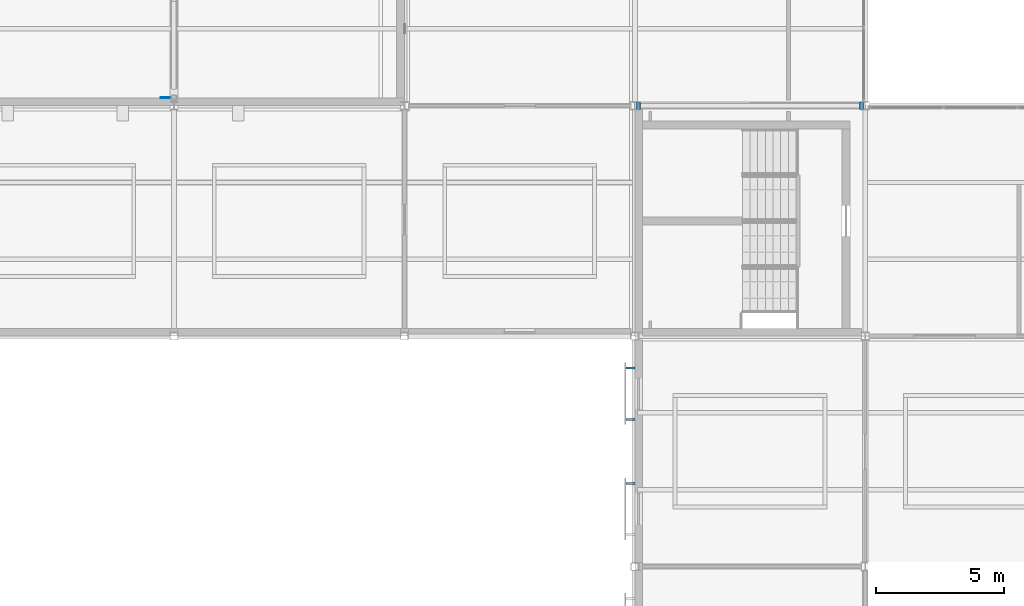
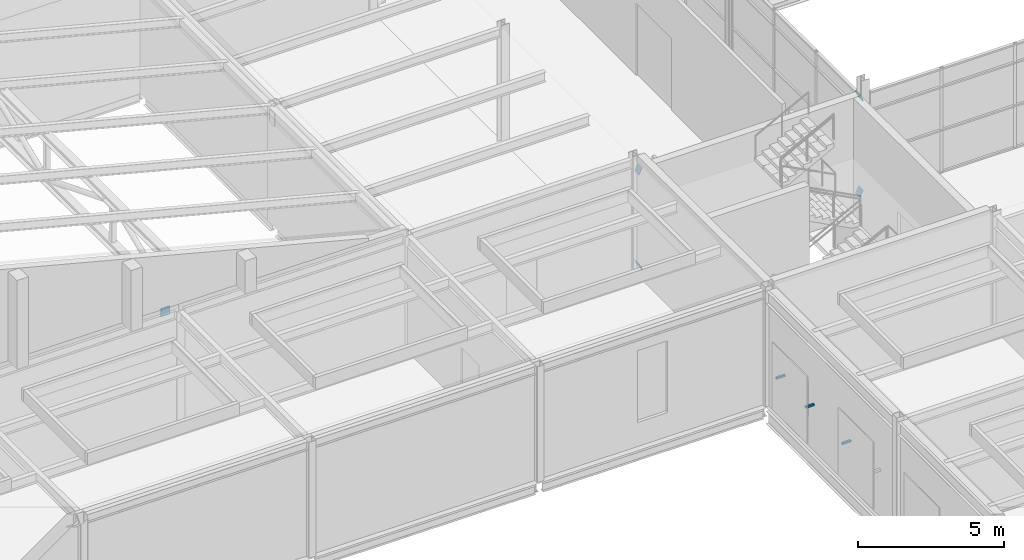
# One storey, part 98 of 115: 8 discrete accessories.
"""IFC4 building model written with IfcOpenShell, lengths in metres."""

from ifc_helpers import new_model, si_unit, direction, frame, origin, origin_2d, place, context, subcontext, project, spatial, polyline, rectangle, outline, extrude, material, layer, layer_set, type_object, element, save


model = new_model("IFC4")

# Units and contexts
model_context = context("Model", 3, precision=1e-05, world=origin(), true_north=direction((0.0, 1.0)))
body_context = subcontext(model_context, "Body", "Model", "MODEL_VIEW")
ifc_project = project(units=[si_unit("LENGTHUNIT", "METRE"), si_unit("AREAUNIT", "SQUARE_METRE"), si_unit("VOLUMEUNIT", "CUBIC_METRE"), si_unit("PLANEANGLEUNIT", "RADIAN"), si_unit("MASSUNIT", "GRAM", prefix="KILO")], contexts=[model_context])

# Site, building, storey
site_placement = place(None, origin())
site = spatial("IfcSite", under=ifc_project, at=site_placement, CompositionType="ELEMENT")
building_placement = place(site_placement, origin())
building = spatial("IfcBuilding", under=site, at=building_placement, Name="Shorebreak Coast Museum", CompositionType="ELEMENT")
storey_placement = place(building_placement, frame((0.0, 0.0, 11.0)))
storey = spatial("IfcBuildingStorey", under=building, at=storey_placement, Name="L02", CompositionType="ELEMENT", Elevation=11.0)

# Discrete accessories
ifc_material_1 = material(Name="Steel Grade 300", Category="steel")
ifc_layer_1 = layer(ifc_material_1, 0.02490234375)
ifc_layer_set_1 = layer_set([ifc_layer_1], Name="Steel Grade 300")
discrete_accessory_type_1 = type_object("IfcDiscreteAccessoryType", Name="Cast-in plate 350 x 350 x 25", PredefinedType="ANCHORPLATE", material=ifc_layer_set_1)
discrete_accessory_1_placement = place(storey_placement, frame((35.47509765625, 63.300048828125, 4.46142578125), z_axis=(0.0, -1.0, 0.0), x_axis=(1.0, 0.0, 0.0)))
element("IfcDiscreteAccessory", 1, at=discrete_accessory_1_placement, inside=storey, type_object=discrete_accessory_type_1, Name="Cast-in plate Auditorium roof truss TS2 strut V01 end 1", PredefinedType="ANCHORPLATE", context=body_context, shape_type="SweptSolid", body=[
    extrude(outline(polyline([(0.0, 0.0), (0.349853515625, 0.0), (0.349853515625, 0.349853515625), (0.0, 0.349853515625), (0.0, 0.0)])), origin(), (0.0, 0.0, -1.0), 0.02490234375),
])
ifc_material_2 = material(Name="Steel Grade 300", Category="steel")
ifc_layer_2 = layer(ifc_material_2, 0.02490234375)
ifc_layer_set_2 = layer_set([ifc_layer_2], Name="Steel Grade 300")
discrete_accessory_type_2 = type_object("IfcDiscreteAccessoryType", Name="End plate 300 x 300 x 25", PredefinedType="BRACKET", material=ifc_layer_set_2)
discrete_accessory_2_placement = place(storey_placement, frame((54.2158203125, 62.85009765625, 0.16357421875), z_axis=(0.909360103086, 0.0, 0.416009859156), x_axis=(0.0, 1.0, 0.0)))
element("IfcDiscreteAccessory", 2, at=discrete_accessory_2_placement, inside=storey, type_object=discrete_accessory_type_2, Name="End plate X-brace bay 01 L02 diagonal 1 end 1", PredefinedType="BRACKET", context=body_context, shape_type="SweptSolid", body=[
    extrude(outline(polyline([(0.0, 0.0), (0.2998046875, 0.0), (0.2998046875, 0.29988678544336883), (0.0, 0.29988678544336883), (0.0, 0.0)])), origin(), (0.0, 0.0, -1.0), 0.02490234375),
])
discrete_accessory_3_placement = place(storey_placement, frame((62.9296875, 62.85009765625, 4.14892578125), z_axis=(0.909193123375, 0.0, 0.416374668308), x_axis=(0.0, 1.0, 0.0)))
element("IfcDiscreteAccessory", 3, at=discrete_accessory_3_placement, inside=storey, type_object=discrete_accessory_type_2, Name="End plate X-brace bay 01 L02 diagonal 1 end 2", PredefinedType="BRACKET", context=body_context, shape_type="SweptSolid", body=[
    extrude(outline(polyline([(0.0, 0.0), (0.2998046875, 0.0), (0.2998046875, 0.30021038625643076), (0.0, 0.30021038625643076), (0.0, 0.0)])), origin(), (0.0, 0.0, -1.0), 0.02490234375),
])
discrete_accessory_4_placement = place(storey_placement, frame((62.781982421875, 63.14990234375, 0.16357421875), z_axis=(-0.909051978606, 0.0, 0.416682733255), x_axis=(0.0, -1.0, 0.0)))
element("IfcDiscreteAccessory", 4, at=discrete_accessory_4_placement, inside=storey, type_object=discrete_accessory_type_2, Name="End plate X-brace bay 01 L02 diagonal 2 end 1", PredefinedType="BRACKET", context=body_context, shape_type="SweptSolid", body=[
    extrude(outline(polyline([(0.0, 0.0), (0.2998046875, 0.0), (0.2998046875, 0.2999884325022589), (0.0, 0.2999884325022589), (0.0, 0.0)])), origin(), (0.0, 0.0, -1.0), 0.02490234375),
])
discrete_accessory_5_placement = place(storey_placement, frame((54.068359375, 63.14990234375, 4.14892578125), z_axis=(-0.909500839953, 0.0, 0.415702083378), x_axis=(0.0, -1.0, 0.0)))
element("IfcDiscreteAccessory", 5, at=discrete_accessory_5_placement, inside=storey, type_object=discrete_accessory_type_2, Name="End plate X-brace bay 01 L02 diagonal 2 end 2", PredefinedType="BRACKET", context=body_context, shape_type="SweptSolid", body=[
    extrude(outline(polyline([(0.0, 0.0), (0.2998046875, 0.0), (0.2998046875, 0.30010881437343706), (0.0, 0.30010881437343706), (0.0, 0.0)])), origin(), (0.0, 0.0, -1.0), 0.02490234375),
])
ifc_material_3 = material(Name="Aluminium", Category="aluminium")
discrete_accessory_type_3 = type_object("IfcDiscreteAccessoryType", Name="Fixing bracket 80 x 350", PredefinedType="BRACKET", material=ifc_material_3)
for number, where, z_axis, x_axis, name in (
    (6, (53.824951171875, 48.25, 1.909912109375), (0.0, 0.0, 1.0), (1.0, 0.0, 0.0), "Fixing bracket"),
    (7, (53.824951171875, 50.75, 1.909912109375), (0.0, 0.0, 1.0), (1.0, 0.0, 0.0), "Fixing bracket"),
    (8, (53.824951171875, 52.75, 1.909912109375), (0.0, 0.0, 1.0), (1.0, 0.0, 0.0), "Fixing bracket"),
):
    element("IfcDiscreteAccessory", number, at=place(storey_placement, frame(where, z_axis=z_axis, x_axis=x_axis)), inside=storey, type_object=discrete_accessory_type_3, Name=name, PredefinedType="BRACKET", context=body_context, shape_type="SweptSolid", body=[
        extrude(rectangle(XDim=0.35009765625, YDim=0.080078125, at=origin_2d()), origin(), (0.0, 0.0, 1.0), 0.080078125),
    ])

save(model, "model.ifc")
